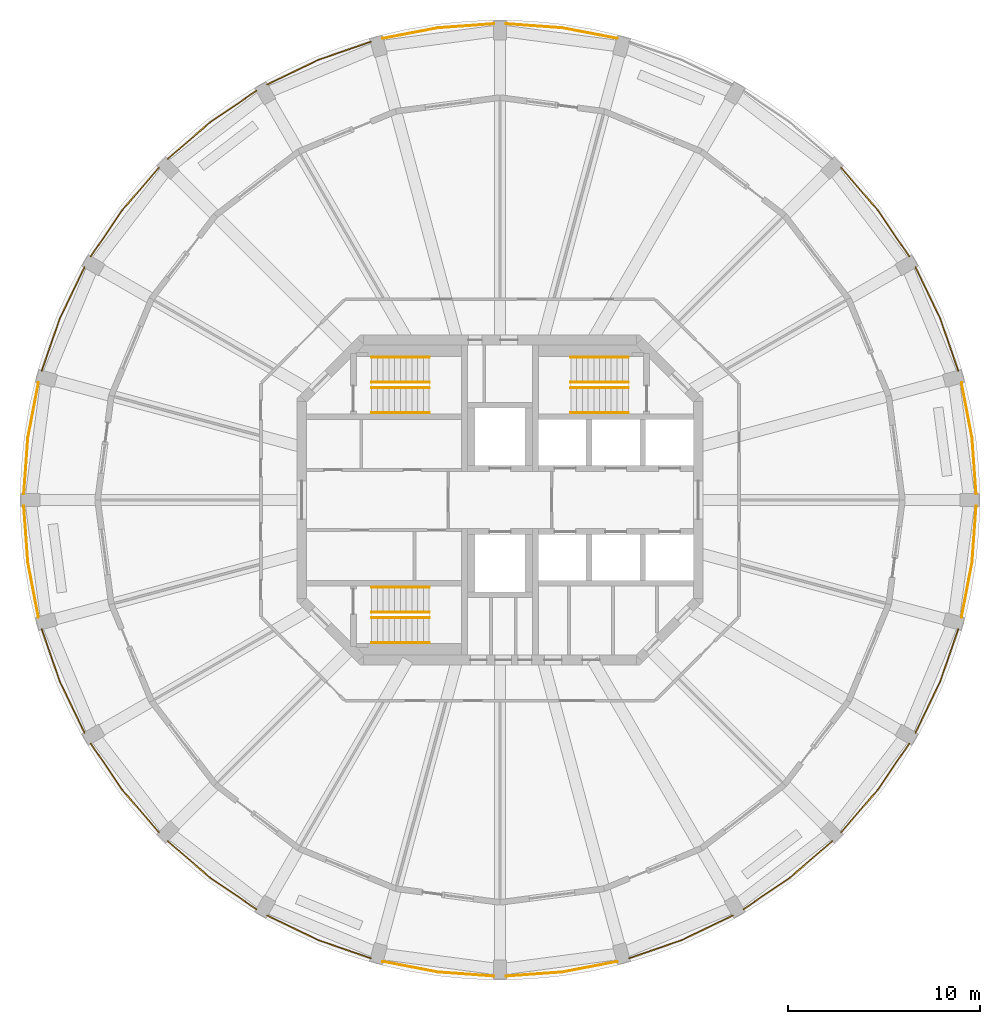
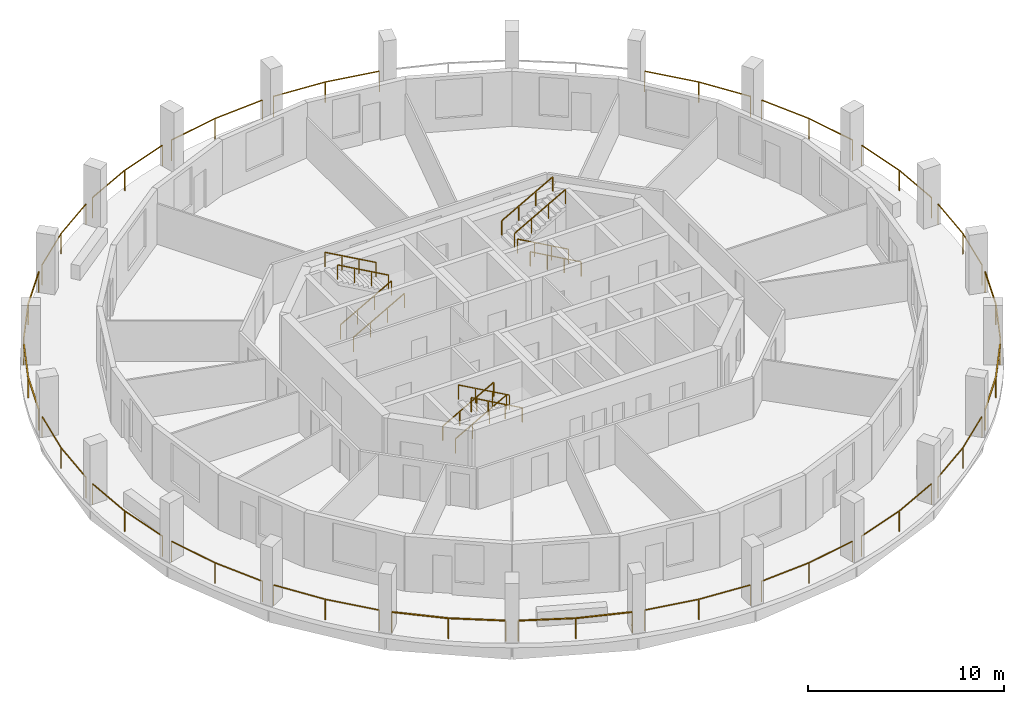
# One storey, part 8 of 9: 34 railings.
"""IFC4 building model written with IfcOpenShell, lengths in metres."""

from ifc_helpers import new_model, si_unit, direction, frame, origin, origin_2d, place, context, subcontext, project, spatial, rectangle, extrude, material, type_object, element, save


model = new_model("IFC4")

# Units and contexts
model_context = context("Model", 3, precision=1e-05, world=origin(), true_north=direction((0.0, 1.0)))
body_context = subcontext(model_context, "Body", "Model", "MODEL_VIEW")
ifc_project = project(units=[si_unit("LENGTHUNIT", "METRE"), si_unit("AREAUNIT", "SQUARE_METRE"), si_unit("VOLUMEUNIT", "CUBIC_METRE"), si_unit("PLANEANGLEUNIT", "RADIAN"), si_unit("MASSUNIT", "GRAM", prefix="KILO")], contexts=[model_context])

# Site, building, storey
site_placement = place(None, origin())
site = spatial("IfcSite", under=ifc_project, at=site_placement, CompositionType="ELEMENT")
building_placement = place(site_placement, origin())
building = spatial("IfcBuilding", under=site, at=building_placement, Name="Torre Triforio", CompositionType="ELEMENT")
storey_placement = place(building_placement, frame((0.0, 0.0, 272.300048828125)))
storey = spatial("IfcBuildingStorey", under=building, at=storey_placement, Name="L63", CompositionType="ELEMENT", Elevation=272.300048828125)

# Railings
ifc_material = material(Name="Stainless steel AISI 316", Category="steel")
railing_type_1 = type_object("IfcRailingType", Name="HANDRAIL 920", PredefinedType="HANDRAIL", material=ifc_material)
for number, where, name in (
    (1, (-6.699951171875, 4.550048828125, 0.168212890625), "Handrail ST1"),
    (2, (-6.699951171875, 5.85009765625, 0.168212890625), "Handrail ST1"),
):
    element("IfcRailing", number, at=place(storey_placement, frame(where)), inside=storey, type_object=railing_type_1, Name=name, PredefinedType="HANDRAIL", context=body_context, shape_type="SweptSolid", body=[
        extrude(rectangle(XDim=0.048095703125, YDim=0.048095703125, at=origin_2d()), frame((0.0, 0.0, 0.89599609375), z_axis=(0.872302573547, 0.0, 0.488966481656), x_axis=(0.0, 1.0, 0.0)), (0.0, 0.0, 1.0), 3.439208984375),
        extrude(rectangle(XDim=0.0419921875, YDim=0.0419921875, at=origin_2d()), origin(), (0.0, 0.0, 1.0), 0.871826171875),
        extrude(rectangle(XDim=0.0419921875, YDim=0.0419921875, at=origin_2d()), frame((1.0, 0.0, 0.560546875)), (0.0, 0.0, 1.0), 0.871826171875),
        extrude(rectangle(XDim=0.0419921875, YDim=0.0419921875, at=origin_2d()), frame((2.0, 0.0, 1.12109375)), (0.0, 0.0, 1.0), 0.871826171875),
        extrude(rectangle(XDim=0.0419921875, YDim=0.0419921875, at=origin_2d()), frame((3.0, 0.0, 1.681640625)), (0.0, 0.0, 1.0), 0.871826171875),
    ])
for number, where, name in (
    (3, (-3.699951171875, 7.449951171875, 2.01806640625), "Handrail ST1"),
    (4, (-3.699951171875, 6.14990234375, 2.01806640625), "Handrail ST1"),
):
    element("IfcRailing", number, at=place(storey_placement, frame(where)), inside=storey, type_object=railing_type_1, Name=name, PredefinedType="HANDRAIL", context=body_context, shape_type="SweptSolid", body=[
        extrude(rectangle(XDim=0.048095703125, YDim=0.048095703125, at=origin_2d()), frame((0.0, 0.0, 0.89599609375), z_axis=(-0.872272294576, 0.0, 0.489020494575), x_axis=(0.0, -1.0, 0.0)), (0.0, 0.0, 1.0), 3.439208984375),
        extrude(rectangle(XDim=0.0419921875, YDim=0.0419921875, at=origin_2d()), origin(), (0.0, 0.0, 1.0), 0.871826171875),
        extrude(rectangle(XDim=0.0419921875, YDim=0.0419921875, at=origin_2d()), frame((-1.0, 0.0, 0.560546875)), (0.0, 0.0, 1.0), 0.871826171875),
        extrude(rectangle(XDim=0.0419921875, YDim=0.0419921875, at=origin_2d()), frame((-2.0, 0.0, 1.121337890625)), (0.0, 0.0, 1.0), 0.871826171875),
        extrude(rectangle(XDim=0.0419921875, YDim=0.0419921875, at=origin_2d()), frame((-3.0, 0.0, 1.681884765625)), (0.0, 0.0, 1.0), 0.871826171875),
    ])
for number, where, name in (
    (5, (6.699951171875, 4.550048828125, 0.168212890625), "Handrail ST2"),
    (6, (6.699951171875, 5.85009765625, 0.168212890625), "Handrail ST2"),
):
    element("IfcRailing", number, at=place(storey_placement, frame(where)), inside=storey, type_object=railing_type_1, Name=name, PredefinedType="HANDRAIL", context=body_context, shape_type="SweptSolid", body=[
        extrude(rectangle(XDim=0.048095703125, YDim=0.048095703125, at=origin_2d()), frame((0.0, 0.0, 0.89599609375), z_axis=(-0.872302573547, 0.0, 0.488966481656), x_axis=(0.0, -1.0, 0.0)), (0.0, 0.0, 1.0), 3.439208984375),
        extrude(rectangle(XDim=0.0419921875, YDim=0.0419921875, at=origin_2d()), origin(), (0.0, 0.0, 1.0), 0.871826171875),
        extrude(rectangle(XDim=0.0419921875, YDim=0.0419921875, at=origin_2d()), frame((-1.0, 0.0, 0.560546875)), (0.0, 0.0, 1.0), 0.871826171875),
        extrude(rectangle(XDim=0.0419921875, YDim=0.0419921875, at=origin_2d()), frame((-2.0, 0.0, 1.12109375)), (0.0, 0.0, 1.0), 0.871826171875),
        extrude(rectangle(XDim=0.0419921875, YDim=0.0419921875, at=origin_2d()), frame((-3.0, 0.0, 1.681640625)), (0.0, 0.0, 1.0), 0.871826171875),
    ])
for number, where, name in (
    (7, (3.699951171875, 7.449951171875, 2.01806640625), "Handrail ST2"),
    (8, (3.699951171875, 6.14990234375, 2.01806640625), "Handrail ST2"),
):
    element("IfcRailing", number, at=place(storey_placement, frame(where)), inside=storey, type_object=railing_type_1, Name=name, PredefinedType="HANDRAIL", context=body_context, shape_type="SweptSolid", body=[
        extrude(rectangle(XDim=0.048095703125, YDim=0.048095703125, at=origin_2d()), frame((0.0, 0.0, 0.89599609375), z_axis=(0.872272294576, 0.0, 0.489020494575), x_axis=(0.0, 1.0, 0.0)), (0.0, 0.0, 1.0), 3.439208984375),
        extrude(rectangle(XDim=0.0419921875, YDim=0.0419921875, at=origin_2d()), origin(), (0.0, 0.0, 1.0), 0.871826171875),
        extrude(rectangle(XDim=0.0419921875, YDim=0.0419921875, at=origin_2d()), frame((1.0, 0.0, 0.560546875)), (0.0, 0.0, 1.0), 0.871826171875),
        extrude(rectangle(XDim=0.0419921875, YDim=0.0419921875, at=origin_2d()), frame((2.0, 0.0, 1.121337890625)), (0.0, 0.0, 1.0), 0.871826171875),
        extrude(rectangle(XDim=0.0419921875, YDim=0.0419921875, at=origin_2d()), frame((3.0, 0.0, 1.681884765625)), (0.0, 0.0, 1.0), 0.871826171875),
    ])
for number, where, name in (
    (9, (-6.699951171875, -4.550048828125, 0.168212890625), "Handrail ST3"),
    (10, (-6.699951171875, -5.85009765625, 0.168212890625), "Handrail ST3"),
):
    element("IfcRailing", number, at=place(storey_placement, frame(where)), inside=storey, type_object=railing_type_1, Name=name, PredefinedType="HANDRAIL", context=body_context, shape_type="SweptSolid", body=[
        extrude(rectangle(XDim=0.048095703125, YDim=0.048095703125, at=origin_2d()), frame((0.0, 0.0, 0.89599609375), z_axis=(0.872302573547, 0.0, 0.488966481656), x_axis=(0.0, 1.0, 0.0)), (0.0, 0.0, 1.0), 3.439208984375),
        extrude(rectangle(XDim=0.0419921875, YDim=0.0419921875, at=origin_2d()), origin(), (0.0, 0.0, 1.0), 0.871826171875),
        extrude(rectangle(XDim=0.0419921875, YDim=0.0419921875, at=origin_2d()), frame((1.0, 0.0, 0.560546875)), (0.0, 0.0, 1.0), 0.871826171875),
        extrude(rectangle(XDim=0.0419921875, YDim=0.0419921875, at=origin_2d()), frame((2.0, 0.0, 1.12109375)), (0.0, 0.0, 1.0), 0.871826171875),
        extrude(rectangle(XDim=0.0419921875, YDim=0.0419921875, at=origin_2d()), frame((3.0, 0.0, 1.681640625)), (0.0, 0.0, 1.0), 0.871826171875),
    ])
for number, where, name in (
    (11, (-3.699951171875, -7.449951171875, 2.01806640625), "Handrail ST3"),
    (12, (-3.699951171875, -6.14990234375, 2.01806640625), "Handrail ST3"),
):
    element("IfcRailing", number, at=place(storey_placement, frame(where)), inside=storey, type_object=railing_type_1, Name=name, PredefinedType="HANDRAIL", context=body_context, shape_type="SweptSolid", body=[
        extrude(rectangle(XDim=0.048095703125, YDim=0.048095703125, at=origin_2d()), frame((0.0, 0.0, 0.89599609375), z_axis=(-0.872272294576, 0.0, 0.489020494575), x_axis=(0.0, -1.0, 0.0)), (0.0, 0.0, 1.0), 3.439208984375),
        extrude(rectangle(XDim=0.0419921875, YDim=0.0419921875, at=origin_2d()), origin(), (0.0, 0.0, 1.0), 0.871826171875),
        extrude(rectangle(XDim=0.0419921875, YDim=0.0419921875, at=origin_2d()), frame((-1.0, 0.0, 0.560546875)), (0.0, 0.0, 1.0), 0.871826171875),
        extrude(rectangle(XDim=0.0419921875, YDim=0.0419921875, at=origin_2d()), frame((-2.0, 0.0, 1.121337890625)), (0.0, 0.0, 1.0), 0.871826171875),
        extrude(rectangle(XDim=0.0419921875, YDim=0.0419921875, at=origin_2d()), frame((-3.0, 0.0, 1.681884765625)), (0.0, 0.0, 1.0), 0.871826171875),
    ])
railing_type_2 = type_object("IfcRailingType", Name="Loggia guard 1300", PredefinedType="GUARDRAIL", material=ifc_material)
railing_1_placement = place(storey_placement, frame((24.85009765625, 0.320068359375, 0.0)))
element("IfcRailing", 13, at=railing_1_placement, inside=storey, type_object=railing_type_2, Name="Loggia guard L63 bay 01", PredefinedType="GUARDRAIL", context=body_context, shape_type="SweptSolid", body=[
    extrude(rectangle(XDim=0.050048828125, YDim=0.050048828125, at=origin_2d()), frame((0.0, 0.0, 1.27490234375), z_axis=(-0.072543227511, 0.997365269168, 0.0), x_axis=(-0.997365269168, -0.072543227511, 0.0)), (0.0, 0.0, 1.0), 2.931396484375),
    extrude(rectangle(XDim=0.050048828125, YDim=0.050048828125, at=origin_2d()), frame((-0.212646484375, 2.923583984375, 1.27490234375), z_axis=(-0.188068851895, 0.982155846568, 0.0), x_axis=(-0.982155846568, -0.188068851895, 0.0)), (0.0, 0.0, 1.0), 2.93115234375),
    extrude(rectangle(XDim=0.0400390625, YDim=0.0400390625, at=origin_2d()), origin(), (0.0, 0.0, 1.0), 1.25),
    extrude(rectangle(XDim=0.0400390625, YDim=0.0400390625, at=origin_2d()), frame((-0.212646484375, 2.923583984375, 0.0)), (0.0, 0.0, 1.0), 1.25),
    extrude(rectangle(XDim=0.0400390625, YDim=0.0400390625, at=origin_2d()), frame((-0.763916015625, 5.802490234375, 0.0)), (0.0, 0.0, 1.0), 1.25),
])
railing_2_placement = place(storey_placement, frame((23.92041015625, 6.74072265625, 0.0)))
element("IfcRailing", 14, at=railing_2_placement, inside=storey, type_object=railing_type_2, Name="Loggia guard L63 bay 02", PredefinedType="GUARDRAIL", context=body_context, shape_type="SweptSolid", body=[
    extrude(rectangle(XDim=0.050048828125, YDim=0.050048828125, at=origin_2d()), frame((0.0, 0.0, 1.27490234375), z_axis=(-0.328145883403, 0.944627058264, 0.0), x_axis=(-0.944627058264, -0.328145883403, 0.0)), (0.0, 0.0, 1.0), 2.931396484375),
    extrude(rectangle(XDim=0.050048828125, YDim=0.050048828125, at=origin_2d()), frame((-0.9619140625, 2.76904296875, 1.27490234375), z_axis=(-0.435917913275, 0.899986429279, 0.0), x_axis=(-0.899986429279, -0.435917913275, 0.0)), (0.0, 0.0, 1.0), 2.931396484375),
    extrude(rectangle(XDim=0.0400390625, YDim=0.0400390625, at=origin_2d()), origin(), (0.0, 0.0, 1.0), 1.25),
    extrude(rectangle(XDim=0.0400390625, YDim=0.0400390625, at=origin_2d()), frame((-0.9619140625, 2.76904296875, 0.0)), (0.0, 0.0, 1.0), 1.25),
    extrude(rectangle(XDim=0.0400390625, YDim=0.0400390625, at=origin_2d()), frame((-2.23974609375, 5.4072265625, 0.0)), (0.0, 0.0, 1.0), 1.25),
])
railing_3_placement = place(storey_placement, frame((21.360595703125, 12.7021484375, 0.0)))
element("IfcRailing", 15, at=railing_3_placement, inside=storey, type_object=railing_type_2, Name="Loggia guard L63 bay 03", PredefinedType="GUARDRAIL", context=body_context, shape_type="SweptSolid", body=[
    extrude(rectangle(XDim=0.050048828125, YDim=0.050048828125, at=origin_2d()), frame((0.0, 0.0, 1.27490234375), z_axis=(-0.561466791934, 0.827499269821, 0.0), x_axis=(-0.827499269821, -0.561466791934, 0.0)), (0.0, 0.0, 1.0), 2.93115234375),
    extrude(rectangle(XDim=0.050048828125, YDim=0.050048828125, at=origin_2d()), frame((-1.645751953125, 2.425537109375, 1.27490234375), z_axis=(-0.653981928353, 0.756510170049, 0.0), x_axis=(-0.756510170049, -0.653981928353, 0.0)), (0.0, 0.0, 1.0), 2.93115234375),
    extrude(rectangle(XDim=0.0400390625, YDim=0.0400390625, at=origin_2d()), origin(), (0.0, 0.0, 1.0), 1.25),
    extrude(rectangle(XDim=0.0400390625, YDim=0.0400390625, at=origin_2d()), frame((-1.645751953125, 2.425537109375, 0.0)), (0.0, 0.0, 1.0), 1.25),
    extrude(rectangle(XDim=0.0400390625, YDim=0.0400390625, at=origin_2d()), frame((-3.562744140625, 4.64306640625, 0.0)), (0.0, 0.0, 1.0), 1.25),
])
railing_4_placement = place(storey_placement, frame((6.12255859375, 24.086181640625, 0.0)))
element("IfcRailing", 16, at=railing_4_placement, inside=storey, type_object=railing_type_2, Name="Loggia guard L63 bay 06", PredefinedType="GUARDRAIL", context=body_context, shape_type="SweptSolid", body=[
    extrude(rectangle(XDim=0.050048828125, YDim=0.050048828125, at=origin_2d()), frame((0.0, 0.0, 1.27490234375), z_axis=(-0.982155846568, 0.188068851895, 0.0), x_axis=(-0.188068851895, -0.982155846568, 0.0)), (0.0, 0.0, 1.0), 2.93115234375),
    extrude(rectangle(XDim=0.050048828125, YDim=0.050048828125, at=origin_2d()), frame((-2.87890625, 0.55126953125, 1.27490234375), z_axis=(-0.997365269168, 0.072543227511, 0.0), x_axis=(-0.072543227511, -0.997365269168, 0.0)), (0.0, 0.0, 1.0), 2.931396484375),
    extrude(rectangle(XDim=0.0400390625, YDim=0.0400390625, at=origin_2d()), origin(), (0.0, 0.0, 1.0), 1.25),
    extrude(rectangle(XDim=0.0400390625, YDim=0.0400390625, at=origin_2d()), frame((-2.87890625, 0.55126953125, 0.0)), (0.0, 0.0, 1.0), 1.25),
    extrude(rectangle(XDim=0.0400390625, YDim=0.0400390625, at=origin_2d()), frame((-5.802490234375, 0.763916015625, 0.0)), (0.0, 0.0, 1.0), 1.25),
])
railing_5_placement = place(storey_placement, frame((-0.320068359375, 24.85009765625, 0.0)))
element("IfcRailing", 17, at=railing_5_placement, inside=storey, type_object=railing_type_2, Name="Loggia guard L63 bay 07", PredefinedType="GUARDRAIL", context=body_context, shape_type="SweptSolid", body=[
    extrude(rectangle(XDim=0.050048828125, YDim=0.050048828125, at=origin_2d()), frame((0.0, 0.0, 1.27490234375), z_axis=(-0.997365269168, -0.072543227511, 0.0), x_axis=(0.072543227511, -0.997365269168, 0.0)), (0.0, 0.0, 1.0), 2.931396484375),
    extrude(rectangle(XDim=0.050048828125, YDim=0.050048828125, at=origin_2d()), frame((-2.923583984375, -0.212646484375, 1.27490234375), z_axis=(-0.982155846568, -0.188068851895, 0.0), x_axis=(0.188068851895, -0.982155846568, 0.0)), (0.0, 0.0, 1.0), 2.93115234375),
    extrude(rectangle(XDim=0.0400390625, YDim=0.0400390625, at=origin_2d()), origin(), (0.0, 0.0, 1.0), 1.25),
    extrude(rectangle(XDim=0.0400390625, YDim=0.0400390625, at=origin_2d()), frame((-2.923583984375, -0.212646484375, 0.0)), (0.0, 0.0, 1.0), 1.25),
    extrude(rectangle(XDim=0.0400390625, YDim=0.0400390625, at=origin_2d()), frame((-5.802490234375, -0.763916015625, 0.0)), (0.0, 0.0, 1.0), 1.25),
])
railing_6_placement = place(storey_placement, frame((-6.74072265625, 23.92041015625, 0.0)))
element("IfcRailing", 18, at=railing_6_placement, inside=storey, type_object=railing_type_2, Name="Loggia guard L63 bay 08", PredefinedType="GUARDRAIL", context=body_context, shape_type="SweptSolid", body=[
    extrude(rectangle(XDim=0.050048828125, YDim=0.050048828125, at=origin_2d()), frame((0.0, 0.0, 1.27490234375), z_axis=(-0.944627058264, -0.328145883403, 0.0), x_axis=(0.328145883403, -0.944627058264, 0.0)), (0.0, 0.0, 1.0), 2.931396484375),
    extrude(rectangle(XDim=0.050048828125, YDim=0.050048828125, at=origin_2d()), frame((-2.76904296875, -0.9619140625, 1.27490234375), z_axis=(-0.899986429279, -0.435917913275, 0.0), x_axis=(0.435917913275, -0.899986429279, 0.0)), (0.0, 0.0, 1.0), 2.931396484375),
    extrude(rectangle(XDim=0.0400390625, YDim=0.0400390625, at=origin_2d()), origin(), (0.0, 0.0, 1.0), 1.25),
    extrude(rectangle(XDim=0.0400390625, YDim=0.0400390625, at=origin_2d()), frame((-2.76904296875, -0.9619140625, 0.0)), (0.0, 0.0, 1.0), 1.25),
    extrude(rectangle(XDim=0.0400390625, YDim=0.0400390625, at=origin_2d()), frame((-5.4072265625, -2.23974609375, 0.0)), (0.0, 0.0, 1.0), 1.25),
])
railing_7_placement = place(storey_placement, frame((-12.7021484375, 21.360595703125, 0.0)))
element("IfcRailing", 19, at=railing_7_placement, inside=storey, type_object=railing_type_2, Name="Loggia guard L63 bay 09", PredefinedType="GUARDRAIL", context=body_context, shape_type="SweptSolid", body=[
    extrude(rectangle(XDim=0.050048828125, YDim=0.050048828125, at=origin_2d()), frame((0.0, 0.0, 1.27490234375), z_axis=(-0.827499269821, -0.561466791934, 0.0), x_axis=(0.561466791934, -0.827499269821, 0.0)), (0.0, 0.0, 1.0), 2.93115234375),
    extrude(rectangle(XDim=0.050048828125, YDim=0.050048828125, at=origin_2d()), frame((-2.425537109375, -1.645751953125, 1.27490234375), z_axis=(-0.756510170049, -0.653981928353, 0.0), x_axis=(0.653981928353, -0.756510170049, 0.0)), (0.0, 0.0, 1.0), 2.93115234375),
    extrude(rectangle(XDim=0.0400390625, YDim=0.0400390625, at=origin_2d()), origin(), (0.0, 0.0, 1.0), 1.25),
    extrude(rectangle(XDim=0.0400390625, YDim=0.0400390625, at=origin_2d()), frame((-2.425537109375, -1.645751953125, 0.0)), (0.0, 0.0, 1.0), 1.25),
    extrude(rectangle(XDim=0.0400390625, YDim=0.0400390625, at=origin_2d()), frame((-4.64306640625, -3.562744140625, 0.0)), (0.0, 0.0, 1.0), 1.25),
])
railing_8_placement = place(storey_placement, frame((-17.7978515625, 17.34521484375, 0.0)))
element("IfcRailing", 20, at=railing_8_placement, inside=storey, type_object=railing_type_2, Name="Loggia guard L63 bay 10", PredefinedType="GUARDRAIL", context=body_context, shape_type="SweptSolid", body=[
    extrude(rectangle(XDim=0.050048828125, YDim=0.050048828125, at=origin_2d()), frame((0.0, 0.0, 1.27490234375), z_axis=(-0.653981928353, -0.756510170049, 0.0), x_axis=(0.756510170049, -0.653981928353, 0.0)), (0.0, 0.0, 1.0), 2.93115234375),
    extrude(rectangle(XDim=0.050048828125, YDim=0.050048828125, at=origin_2d()), frame((-1.9169921875, -2.217529296875, 1.27490234375), z_axis=(-0.561466791934, -0.827499269821, 0.0), x_axis=(0.827499269821, -0.561466791934, 0.0)), (0.0, 0.0, 1.0), 2.93115234375),
    extrude(rectangle(XDim=0.0400390625, YDim=0.0400390625, at=origin_2d()), origin(), (0.0, 0.0, 1.0), 1.25),
    extrude(rectangle(XDim=0.0400390625, YDim=0.0400390625, at=origin_2d()), frame((-1.9169921875, -2.217529296875, 0.0)), (0.0, 0.0, 1.0), 1.25),
    extrude(rectangle(XDim=0.0400390625, YDim=0.0400390625, at=origin_2d()), frame((-3.562744140625, -4.64306640625, 0.0)), (0.0, 0.0, 1.0), 1.25),
])
railing_9_placement = place(storey_placement, frame((-21.6806640625, 12.14794921875, 0.0)))
element("IfcRailing", 21, at=railing_9_placement, inside=storey, type_object=railing_type_2, Name="Loggia guard L63 bay 11", PredefinedType="GUARDRAIL", context=body_context, shape_type="SweptSolid", body=[
    extrude(rectangle(XDim=0.050048828125, YDim=0.050048828125, at=origin_2d()), frame((0.0, 0.0, 1.27490234375), z_axis=(-0.435917913275, -0.899986429279, 0.0), x_axis=(0.899986429279, -0.435917913275, 0.0)), (0.0, 0.0, 1.0), 2.931396484375),
    extrude(rectangle(XDim=0.050048828125, YDim=0.050048828125, at=origin_2d()), frame((-1.27783203125, -2.63818359375, 1.27490234375), z_axis=(-0.328145883403, -0.944627058264, 0.0), x_axis=(0.944627058264, -0.328145883403, 0.0)), (0.0, 0.0, 1.0), 2.931396484375),
    extrude(rectangle(XDim=0.0400390625, YDim=0.0400390625, at=origin_2d()), origin(), (0.0, 0.0, 1.0), 1.25),
    extrude(rectangle(XDim=0.0400390625, YDim=0.0400390625, at=origin_2d()), frame((-1.27783203125, -2.63818359375, 0.0)), (0.0, 0.0, 1.0), 1.25),
    extrude(rectangle(XDim=0.0400390625, YDim=0.0400390625, at=origin_2d()), frame((-2.23974609375, -5.4072265625, 0.0)), (0.0, 0.0, 1.0), 1.25),
])
railing_10_placement = place(storey_placement, frame((-24.086181640625, 6.12255859375, 0.0)))
element("IfcRailing", 22, at=railing_10_placement, inside=storey, type_object=railing_type_2, Name="Loggia guard L63 bay 12", PredefinedType="GUARDRAIL", context=body_context, shape_type="SweptSolid", body=[
    extrude(rectangle(XDim=0.050048828125, YDim=0.050048828125, at=origin_2d()), frame((0.0, 0.0, 1.27490234375), z_axis=(-0.188068851895, -0.982155846568, 0.0), x_axis=(0.982155846568, -0.188068851895, 0.0)), (0.0, 0.0, 1.0), 2.93115234375),
    extrude(rectangle(XDim=0.050048828125, YDim=0.050048828125, at=origin_2d()), frame((-0.55126953125, -2.87890625, 1.27490234375), z_axis=(-0.072543227511, -0.997365269168, 0.0), x_axis=(0.997365269168, -0.072543227511, 0.0)), (0.0, 0.0, 1.0), 2.931396484375),
    extrude(rectangle(XDim=0.0400390625, YDim=0.0400390625, at=origin_2d()), origin(), (0.0, 0.0, 1.0), 1.25),
    extrude(rectangle(XDim=0.0400390625, YDim=0.0400390625, at=origin_2d()), frame((-0.55126953125, -2.87890625, 0.0)), (0.0, 0.0, 1.0), 1.25),
    extrude(rectangle(XDim=0.0400390625, YDim=0.0400390625, at=origin_2d()), frame((-0.763916015625, -5.802490234375, 0.0)), (0.0, 0.0, 1.0), 1.25),
])
railing_11_placement = place(storey_placement, frame((-24.85009765625, -0.320068359375, 0.0)))
element("IfcRailing", 23, at=railing_11_placement, inside=storey, type_object=railing_type_2, Name="Loggia guard L63 bay 13", PredefinedType="GUARDRAIL", context=body_context, shape_type="SweptSolid", body=[
    extrude(rectangle(XDim=0.050048828125, YDim=0.050048828125, at=origin_2d()), frame((0.0, 0.0, 1.27490234375), z_axis=(0.072543227511, -0.997365269168, 0.0), x_axis=(0.997365269168, 0.072543227511, 0.0)), (0.0, 0.0, 1.0), 2.931396484375),
    extrude(rectangle(XDim=0.050048828125, YDim=0.050048828125, at=origin_2d()), frame((0.212646484375, -2.923583984375, 1.27490234375), z_axis=(0.188068851895, -0.982155846568, 0.0), x_axis=(0.982155846568, 0.188068851895, 0.0)), (0.0, 0.0, 1.0), 2.93115234375),
    extrude(rectangle(XDim=0.0400390625, YDim=0.0400390625, at=origin_2d()), origin(), (0.0, 0.0, 1.0), 1.25),
    extrude(rectangle(XDim=0.0400390625, YDim=0.0400390625, at=origin_2d()), frame((0.212646484375, -2.923583984375, 0.0)), (0.0, 0.0, 1.0), 1.25),
    extrude(rectangle(XDim=0.0400390625, YDim=0.0400390625, at=origin_2d()), frame((0.763916015625, -5.802490234375, 0.0)), (0.0, 0.0, 1.0), 1.25),
])
railing_12_placement = place(storey_placement, frame((-23.92041015625, -6.74072265625, 0.0)))
element("IfcRailing", 24, at=railing_12_placement, inside=storey, type_object=railing_type_2, Name="Loggia guard L63 bay 14", PredefinedType="GUARDRAIL", context=body_context, shape_type="SweptSolid", body=[
    extrude(rectangle(XDim=0.050048828125, YDim=0.050048828125, at=origin_2d()), frame((0.0, 0.0, 1.27490234375), z_axis=(0.328145883403, -0.944627058264, 0.0), x_axis=(0.944627058264, 0.328145883403, 0.0)), (0.0, 0.0, 1.0), 2.931396484375),
    extrude(rectangle(XDim=0.050048828125, YDim=0.050048828125, at=origin_2d()), frame((0.9619140625, -2.76904296875, 1.27490234375), z_axis=(0.435917913275, -0.899986429279, 0.0), x_axis=(0.899986429279, 0.435917913275, 0.0)), (0.0, 0.0, 1.0), 2.931396484375),
    extrude(rectangle(XDim=0.0400390625, YDim=0.0400390625, at=origin_2d()), origin(), (0.0, 0.0, 1.0), 1.25),
    extrude(rectangle(XDim=0.0400390625, YDim=0.0400390625, at=origin_2d()), frame((0.9619140625, -2.76904296875, 0.0)), (0.0, 0.0, 1.0), 1.25),
    extrude(rectangle(XDim=0.0400390625, YDim=0.0400390625, at=origin_2d()), frame((2.23974609375, -5.4072265625, 0.0)), (0.0, 0.0, 1.0), 1.25),
])
railing_13_placement = place(storey_placement, frame((-21.360595703125, -12.7021484375, 0.0)))
element("IfcRailing", 25, at=railing_13_placement, inside=storey, type_object=railing_type_2, Name="Loggia guard L63 bay 15", PredefinedType="GUARDRAIL", context=body_context, shape_type="SweptSolid", body=[
    extrude(rectangle(XDim=0.050048828125, YDim=0.050048828125, at=origin_2d()), frame((0.0, 0.0, 1.27490234375), z_axis=(0.561466791934, -0.827499269821, 0.0), x_axis=(0.827499269821, 0.561466791934, 0.0)), (0.0, 0.0, 1.0), 2.93115234375),
    extrude(rectangle(XDim=0.050048828125, YDim=0.050048828125, at=origin_2d()), frame((1.645751953125, -2.425537109375, 1.27490234375), z_axis=(0.653981928353, -0.756510170049, 0.0), x_axis=(0.756510170049, 0.653981928353, 0.0)), (0.0, 0.0, 1.0), 2.93115234375),
    extrude(rectangle(XDim=0.0400390625, YDim=0.0400390625, at=origin_2d()), origin(), (0.0, 0.0, 1.0), 1.25),
    extrude(rectangle(XDim=0.0400390625, YDim=0.0400390625, at=origin_2d()), frame((1.645751953125, -2.425537109375, 0.0)), (0.0, 0.0, 1.0), 1.25),
    extrude(rectangle(XDim=0.0400390625, YDim=0.0400390625, at=origin_2d()), frame((3.562744140625, -4.64306640625, 0.0)), (0.0, 0.0, 1.0), 1.25),
])
railing_14_placement = place(storey_placement, frame((-17.34521484375, -17.7978515625, 0.0)))
element("IfcRailing", 26, at=railing_14_placement, inside=storey, type_object=railing_type_2, Name="Loggia guard L63 bay 16", PredefinedType="GUARDRAIL", context=body_context, shape_type="SweptSolid", body=[
    extrude(rectangle(XDim=0.050048828125, YDim=0.050048828125, at=origin_2d()), frame((0.0, 0.0, 1.27490234375), z_axis=(0.756510170049, -0.653981928353, 0.0), x_axis=(0.653981928353, 0.756510170049, 0.0)), (0.0, 0.0, 1.0), 2.93115234375),
    extrude(rectangle(XDim=0.050048828125, YDim=0.050048828125, at=origin_2d()), frame((2.217529296875, -1.9169921875, 1.27490234375), z_axis=(0.827499269821, -0.561466791934, 0.0), x_axis=(0.561466791934, 0.827499269821, 0.0)), (0.0, 0.0, 1.0), 2.93115234375),
    extrude(rectangle(XDim=0.0400390625, YDim=0.0400390625, at=origin_2d()), origin(), (0.0, 0.0, 1.0), 1.25),
    extrude(rectangle(XDim=0.0400390625, YDim=0.0400390625, at=origin_2d()), frame((2.217529296875, -1.9169921875, 0.0)), (0.0, 0.0, 1.0), 1.25),
    extrude(rectangle(XDim=0.0400390625, YDim=0.0400390625, at=origin_2d()), frame((4.64306640625, -3.562744140625, 0.0)), (0.0, 0.0, 1.0), 1.25),
])
railing_15_placement = place(storey_placement, frame((-12.14794921875, -21.6806640625, 0.0)))
element("IfcRailing", 27, at=railing_15_placement, inside=storey, type_object=railing_type_2, Name="Loggia guard L63 bay 17", PredefinedType="GUARDRAIL", context=body_context, shape_type="SweptSolid", body=[
    extrude(rectangle(XDim=0.050048828125, YDim=0.050048828125, at=origin_2d()), frame((0.0, 0.0, 1.27490234375), z_axis=(0.899986429279, -0.435917913275, 0.0), x_axis=(0.435917913275, 0.899986429279, 0.0)), (0.0, 0.0, 1.0), 2.931396484375),
    extrude(rectangle(XDim=0.050048828125, YDim=0.050048828125, at=origin_2d()), frame((2.63818359375, -1.27783203125, 1.27490234375), z_axis=(0.944627058264, -0.328145883403, 0.0), x_axis=(0.328145883403, 0.944627058264, 0.0)), (0.0, 0.0, 1.0), 2.931396484375),
    extrude(rectangle(XDim=0.0400390625, YDim=0.0400390625, at=origin_2d()), origin(), (0.0, 0.0, 1.0), 1.25),
    extrude(rectangle(XDim=0.0400390625, YDim=0.0400390625, at=origin_2d()), frame((2.63818359375, -1.27783203125, 0.0)), (0.0, 0.0, 1.0), 1.25),
    extrude(rectangle(XDim=0.0400390625, YDim=0.0400390625, at=origin_2d()), frame((5.4072265625, -2.23974609375, 0.0)), (0.0, 0.0, 1.0), 1.25),
])
railing_16_placement = place(storey_placement, frame((-6.12255859375, -24.086181640625, 0.0)))
element("IfcRailing", 28, at=railing_16_placement, inside=storey, type_object=railing_type_2, Name="Loggia guard L63 bay 18", PredefinedType="GUARDRAIL", context=body_context, shape_type="SweptSolid", body=[
    extrude(rectangle(XDim=0.050048828125, YDim=0.050048828125, at=origin_2d()), frame((0.0, 0.0, 1.27490234375), z_axis=(0.982155846568, -0.188068851895, 0.0), x_axis=(0.188068851895, 0.982155846568, 0.0)), (0.0, 0.0, 1.0), 2.93115234375),
    extrude(rectangle(XDim=0.050048828125, YDim=0.050048828125, at=origin_2d()), frame((2.87890625, -0.55126953125, 1.27490234375), z_axis=(0.997365269168, -0.072543227511, 0.0), x_axis=(0.072543227511, 0.997365269168, 0.0)), (0.0, 0.0, 1.0), 2.931396484375),
    extrude(rectangle(XDim=0.0400390625, YDim=0.0400390625, at=origin_2d()), origin(), (0.0, 0.0, 1.0), 1.25),
    extrude(rectangle(XDim=0.0400390625, YDim=0.0400390625, at=origin_2d()), frame((2.87890625, -0.55126953125, 0.0)), (0.0, 0.0, 1.0), 1.25),
    extrude(rectangle(XDim=0.0400390625, YDim=0.0400390625, at=origin_2d()), frame((5.802490234375, -0.763916015625, 0.0)), (0.0, 0.0, 1.0), 1.25),
])
railing_17_placement = place(storey_placement, frame((0.320068359375, -24.85009765625, 0.0)))
element("IfcRailing", 29, at=railing_17_placement, inside=storey, type_object=railing_type_2, Name="Loggia guard L63 bay 19", PredefinedType="GUARDRAIL", context=body_context, shape_type="SweptSolid", body=[
    extrude(rectangle(XDim=0.050048828125, YDim=0.050048828125, at=origin_2d()), frame((0.0, 0.0, 1.27490234375), z_axis=(0.997365269168, 0.072543227511, 0.0), x_axis=(-0.072543227511, 0.997365269168, 0.0)), (0.0, 0.0, 1.0), 2.931396484375),
    extrude(rectangle(XDim=0.050048828125, YDim=0.050048828125, at=origin_2d()), frame((2.923583984375, 0.212646484375, 1.27490234375), z_axis=(0.982155846568, 0.188068851895, 0.0), x_axis=(-0.188068851895, 0.982155846568, 0.0)), (0.0, 0.0, 1.0), 2.93115234375),
    extrude(rectangle(XDim=0.0400390625, YDim=0.0400390625, at=origin_2d()), origin(), (0.0, 0.0, 1.0), 1.25),
    extrude(rectangle(XDim=0.0400390625, YDim=0.0400390625, at=origin_2d()), frame((2.923583984375, 0.212646484375, 0.0)), (0.0, 0.0, 1.0), 1.25),
    extrude(rectangle(XDim=0.0400390625, YDim=0.0400390625, at=origin_2d()), frame((5.802490234375, 0.763916015625, 0.0)), (0.0, 0.0, 1.0), 1.25),
])
railing_18_placement = place(storey_placement, frame((6.74072265625, -23.92041015625, 0.0)))
element("IfcRailing", 30, at=railing_18_placement, inside=storey, type_object=railing_type_2, Name="Loggia guard L63 bay 20", PredefinedType="GUARDRAIL", context=body_context, shape_type="SweptSolid", body=[
    extrude(rectangle(XDim=0.050048828125, YDim=0.050048828125, at=origin_2d()), frame((0.0, 0.0, 1.27490234375), z_axis=(0.944627058264, 0.328145883403, 0.0), x_axis=(-0.328145883403, 0.944627058264, 0.0)), (0.0, 0.0, 1.0), 2.931396484375),
    extrude(rectangle(XDim=0.050048828125, YDim=0.050048828125, at=origin_2d()), frame((2.76904296875, 0.9619140625, 1.27490234375), z_axis=(0.899986429279, 0.435917913275, 0.0), x_axis=(-0.435917913275, 0.899986429279, 0.0)), (0.0, 0.0, 1.0), 2.931396484375),
    extrude(rectangle(XDim=0.0400390625, YDim=0.0400390625, at=origin_2d()), origin(), (0.0, 0.0, 1.0), 1.25),
    extrude(rectangle(XDim=0.0400390625, YDim=0.0400390625, at=origin_2d()), frame((2.76904296875, 0.9619140625, 0.0)), (0.0, 0.0, 1.0), 1.25),
    extrude(rectangle(XDim=0.0400390625, YDim=0.0400390625, at=origin_2d()), frame((5.4072265625, 2.23974609375, 0.0)), (0.0, 0.0, 1.0), 1.25),
])
railing_19_placement = place(storey_placement, frame((12.7021484375, -21.360595703125, 0.0)))
element("IfcRailing", 31, at=railing_19_placement, inside=storey, type_object=railing_type_2, Name="Loggia guard L63 bay 21", PredefinedType="GUARDRAIL", context=body_context, shape_type="SweptSolid", body=[
    extrude(rectangle(XDim=0.050048828125, YDim=0.050048828125, at=origin_2d()), frame((0.0, 0.0, 1.27490234375), z_axis=(0.827499269821, 0.561466791934, 0.0), x_axis=(-0.561466791934, 0.827499269821, 0.0)), (0.0, 0.0, 1.0), 2.93115234375),
    extrude(rectangle(XDim=0.050048828125, YDim=0.050048828125, at=origin_2d()), frame((2.425537109375, 1.645751953125, 1.27490234375), z_axis=(0.756510170049, 0.653981928353, 0.0), x_axis=(-0.653981928353, 0.756510170049, 0.0)), (0.0, 0.0, 1.0), 2.93115234375),
    extrude(rectangle(XDim=0.0400390625, YDim=0.0400390625, at=origin_2d()), origin(), (0.0, 0.0, 1.0), 1.25),
    extrude(rectangle(XDim=0.0400390625, YDim=0.0400390625, at=origin_2d()), frame((2.425537109375, 1.645751953125, 0.0)), (0.0, 0.0, 1.0), 1.25),
    extrude(rectangle(XDim=0.0400390625, YDim=0.0400390625, at=origin_2d()), frame((4.64306640625, 3.562744140625, 0.0)), (0.0, 0.0, 1.0), 1.25),
])
railing_20_placement = place(storey_placement, frame((17.7978515625, -17.34521484375, 0.0)))
element("IfcRailing", 32, at=railing_20_placement, inside=storey, type_object=railing_type_2, Name="Loggia guard L63 bay 22", PredefinedType="GUARDRAIL", context=body_context, shape_type="SweptSolid", body=[
    extrude(rectangle(XDim=0.050048828125, YDim=0.050048828125, at=origin_2d()), frame((0.0, 0.0, 1.27490234375), z_axis=(0.653981928353, 0.756510170049, 0.0), x_axis=(-0.756510170049, 0.653981928353, 0.0)), (0.0, 0.0, 1.0), 2.93115234375),
    extrude(rectangle(XDim=0.050048828125, YDim=0.050048828125, at=origin_2d()), frame((1.9169921875, 2.217529296875, 1.27490234375), z_axis=(0.561466791934, 0.827499269821, 0.0), x_axis=(-0.827499269821, 0.561466791934, 0.0)), (0.0, 0.0, 1.0), 2.93115234375),
    extrude(rectangle(XDim=0.0400390625, YDim=0.0400390625, at=origin_2d()), origin(), (0.0, 0.0, 1.0), 1.25),
    extrude(rectangle(XDim=0.0400390625, YDim=0.0400390625, at=origin_2d()), frame((1.9169921875, 2.217529296875, 0.0)), (0.0, 0.0, 1.0), 1.25),
    extrude(rectangle(XDim=0.0400390625, YDim=0.0400390625, at=origin_2d()), frame((3.562744140625, 4.64306640625, 0.0)), (0.0, 0.0, 1.0), 1.25),
])
railing_21_placement = place(storey_placement, frame((21.6806640625, -12.14794921875, 0.0)))
element("IfcRailing", 33, at=railing_21_placement, inside=storey, type_object=railing_type_2, Name="Loggia guard L63 bay 23", PredefinedType="GUARDRAIL", context=body_context, shape_type="SweptSolid", body=[
    extrude(rectangle(XDim=0.050048828125, YDim=0.050048828125, at=origin_2d()), frame((0.0, 0.0, 1.27490234375), z_axis=(0.435917913275, 0.899986429279, 0.0), x_axis=(-0.899986429279, 0.435917913275, 0.0)), (0.0, 0.0, 1.0), 2.931396484375),
    extrude(rectangle(XDim=0.050048828125, YDim=0.050048828125, at=origin_2d()), frame((1.27783203125, 2.63818359375, 1.27490234375), z_axis=(0.328145883403, 0.944627058264, 0.0), x_axis=(-0.944627058264, 0.328145883403, 0.0)), (0.0, 0.0, 1.0), 2.931396484375),
    extrude(rectangle(XDim=0.0400390625, YDim=0.0400390625, at=origin_2d()), origin(), (0.0, 0.0, 1.0), 1.25),
    extrude(rectangle(XDim=0.0400390625, YDim=0.0400390625, at=origin_2d()), frame((1.27783203125, 2.63818359375, 0.0)), (0.0, 0.0, 1.0), 1.25),
    extrude(rectangle(XDim=0.0400390625, YDim=0.0400390625, at=origin_2d()), frame((2.23974609375, 5.4072265625, 0.0)), (0.0, 0.0, 1.0), 1.25),
])
railing_22_placement = place(storey_placement, frame((24.086181640625, -6.12255859375, 0.0)))
element("IfcRailing", 34, at=railing_22_placement, inside=storey, type_object=railing_type_2, Name="Loggia guard L63 bay 24", PredefinedType="GUARDRAIL", context=body_context, shape_type="SweptSolid", body=[
    extrude(rectangle(XDim=0.050048828125, YDim=0.050048828125, at=origin_2d()), frame((0.0, 0.0, 1.27490234375), z_axis=(0.188068851895, 0.982155846568, 0.0), x_axis=(-0.982155846568, 0.188068851895, 0.0)), (0.0, 0.0, 1.0), 2.93115234375),
    extrude(rectangle(XDim=0.050048828125, YDim=0.050048828125, at=origin_2d()), frame((0.55126953125, 2.87890625, 1.27490234375), z_axis=(0.072543227511, 0.997365269168, 0.0), x_axis=(-0.997365269168, 0.072543227511, 0.0)), (0.0, 0.0, 1.0), 2.931396484375),
    extrude(rectangle(XDim=0.0400390625, YDim=0.0400390625, at=origin_2d()), origin(), (0.0, 0.0, 1.0), 1.25),
    extrude(rectangle(XDim=0.0400390625, YDim=0.0400390625, at=origin_2d()), frame((0.55126953125, 2.87890625, 0.0)), (0.0, 0.0, 1.0), 1.25),
    extrude(rectangle(XDim=0.0400390625, YDim=0.0400390625, at=origin_2d()), frame((0.763916015625, 5.802490234375, 0.0)), (0.0, 0.0, 1.0), 1.25),
])

save(model, "model.ifc")
